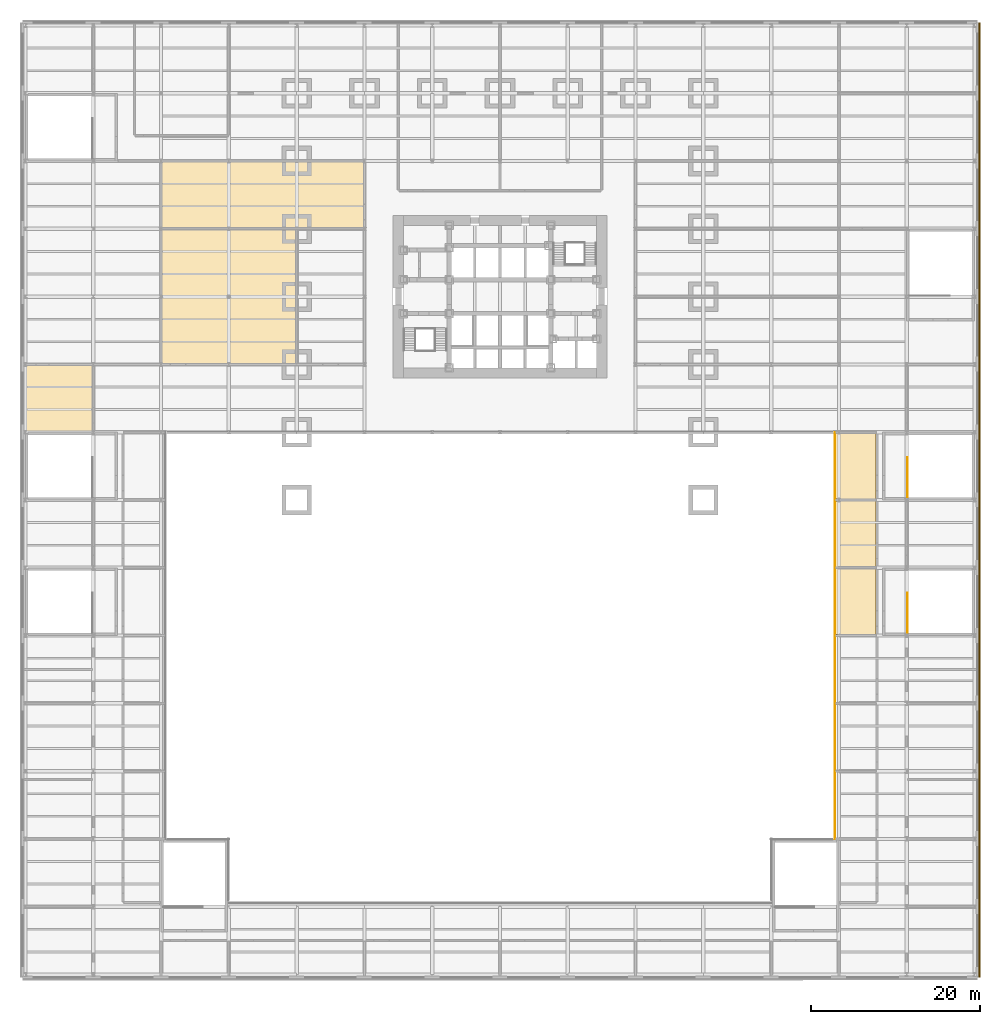
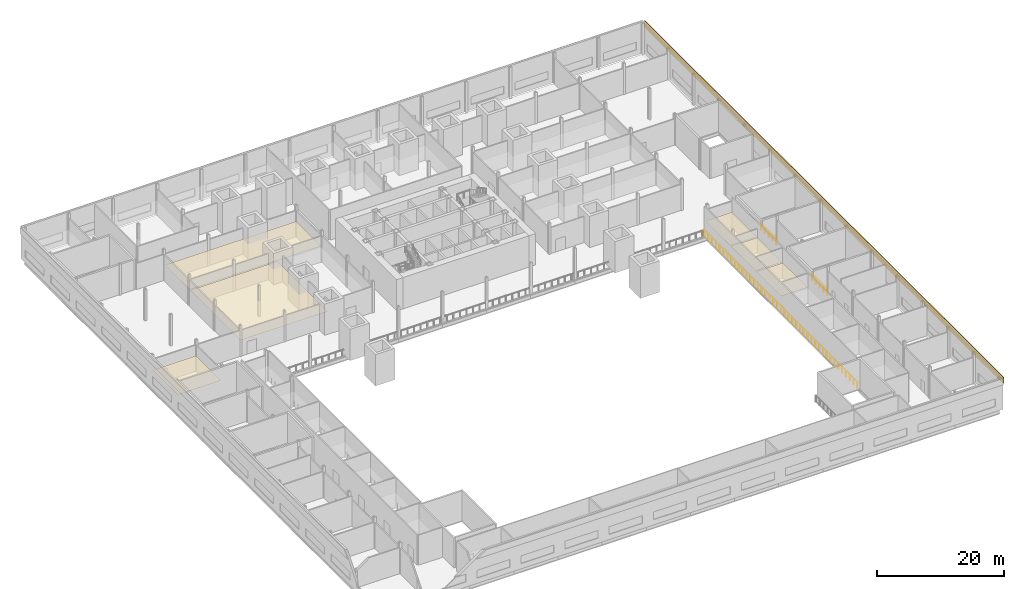
# One storey, part 19 of 21: 7 coverings, 3 railings.
"""IFC4 building model written with IfcOpenShell, lengths in metres."""

import ifcopenshell
import ifcopenshell.guid

model = None  # the IFC model being written
_history = None  # IfcOwnerHistory: only IFC2X3 demands one
_inside = {}  # id of a spatial element -> (the spatial element, [elements in it])
_under = {}  # id of a project, library or spatial element -> (it, [spatial elements below it])
_declared = {}  # id of a project -> (the project, [libraries it declares])
_typed = {}  # id of a type object -> (the type object, [elements of that type])
_made_of = {}  # id of a material, layer set ... -> (it, [elements and type objects made of it])


def new_model(schema):
    """Start an empty IFC model of exactly this schema.

    Asked for "IFC4X3", IfcOpenShell would pick the latest addendum, in which some entities
    have other attributes; the version numbers below select the first issue.
    IFC2X3 requires an IfcOwnerHistory on every rooted entity: one is made here for all.
    """
    global model, _history
    if schema == "IFC4X3":
        model = ifcopenshell.file(schema_version=(4, 3, 0, 0))
    else:
        model = ifcopenshell.file(schema=schema)
    _inside.clear()
    _under.clear()
    _declared.clear()
    _typed.clear()
    _made_of.clear()
    _history = None
    if model.schema == "IFC2X3":
        org = make("IfcOrganization", Name="unknown")
        user = make(
            "IfcPersonAndOrganization",
            ThePerson=make("IfcPerson", FamilyName="unknown"),
            TheOrganization=org,
        )
        app = make(
            "IfcApplication",
            ApplicationDeveloper=org,
            Version="unknown",
            ApplicationFullName="unknown",
            ApplicationIdentifier="unknown",
        )
        _history = make(
            "IfcOwnerHistory",
            OwningUser=user,
            OwningApplication=app,
            ChangeAction="ADDED",
            CreationDate=0,
        )
    return model


def make(cls, **values):
    """One entity of the class cls with the attributes given. An attribute that is None is left unset."""
    return model.create_entity(
        cls, **{name: value for name, value in values.items() if value is not None}
    )


def rooted(cls, **values):
    """An entity with a GlobalId (a new one), such as an element, a storey or a relation."""
    return make(cls, GlobalId=ifcopenshell.guid.new(), OwnerHistory=_history, **values)


def si_unit(unit_type, name, prefix=None):
    """IfcSIUnit, for example si_unit("LENGTHUNIT", "METRE", prefix="MILLI")."""
    return make("IfcSIUnit", UnitType=unit_type, Prefix=prefix, Name=name)


def assignment(units):
    """IfcUnitAssignment: the units of a project."""
    return None if units is None else make("IfcUnitAssignment", Units=units)


def point(xyz):
    """IfcCartesianPoint."""
    return None if xyz is None else make("IfcCartesianPoint", Coordinates=xyz)


def direction(xyz):
    """IfcDirection."""
    return None if xyz is None else make("IfcDirection", DirectionRatios=xyz)


def frame(location, z_axis=None, x_axis=None):
    """IfcAxis2Placement3D, a coordinate frame: its origin and axes. An axis left out is left unset."""
    return make(
        "IfcAxis2Placement3D",
        Location=point(location),
        Axis=direction(z_axis),
        RefDirection=direction(x_axis),
    )


def frame_2d(location, x_axis=None):
    """IfcAxis2Placement2D, a coordinate frame in the plane: its origin and x axis."""
    return make(
        "IfcAxis2Placement2D", Location=point(location), RefDirection=direction(x_axis)
    )


def origin():
    """The frame at (0, 0, 0) with its axes left unset."""
    return frame((0.0, 0.0, 0.0))


def origin_2d():
    """The frame at (0, 0) in the plane with its x axis left unset."""
    return frame_2d((0.0, 0.0))


def place(relative_to, where):
    """IfcLocalPlacement: puts the frame where relative to a parent placement (None: the world)."""
    return make(
        "IfcLocalPlacement", PlacementRelTo=relative_to, RelativePlacement=where
    )


def context(
    kind, dimensions, precision=None, world=None, true_north=None, identifier=None
):
    """IfcGeometricRepresentationContext, for example the 3D "Model" context."""
    return make(
        "IfcGeometricRepresentationContext",
        ContextIdentifier=identifier,
        ContextType=kind,
        CoordinateSpaceDimension=dimensions,
        Precision=precision,
        WorldCoordinateSystem=world,
        TrueNorth=true_north,
    )


def subcontext(parent, identifier, kind, view, scale=None):
    """IfcGeometricRepresentationSubContext, for example "Body" below "Model"."""
    return make(
        "IfcGeometricRepresentationSubContext",
        ContextIdentifier=identifier,
        ContextType=kind,
        ParentContext=parent,
        TargetScale=scale,
        TargetView=view,
    )


def project(units=None, contexts=None):
    """IfcProject with its units and contexts."""
    return rooted(
        "IfcProject",
        Name="project",
        RepresentationContexts=contexts,
        UnitsInContext=assignment(units),
    )


def spatial(cls, under=None, at=None, **own):
    """A site, building, storey or space (cls), placed at a placement, below another one or the project."""
    s = rooted(cls, ObjectPlacement=at, **own)
    if under is not None:
        _under.setdefault(under.id(), (under, []))[1].append(s)
    return s


def polyline(points):
    """IfcPolyline through the points."""
    return make("IfcPolyline", Points=[point(p) for p in points])


def profile(cls, at=None, kind="AREA", **sizes):
    """A parametric profile (cls). Its sizes go by their IFC names, for example OverallWidth=200.0."""
    return make(cls, ProfileType=kind, Position=at, **sizes)


def rectangle(**sizes):
    """IfcRectangleProfileDef."""
    return profile("IfcRectangleProfileDef", **sizes)


def circle(**sizes):
    """IfcCircleProfileDef."""
    return profile("IfcCircleProfileDef", **sizes)


def outline(outer, holes=None, kind="AREA"):
    """IfcArbitraryClosedProfileDef: a profile drawn as a closed curve; with holes, ...WithVoids."""
    if holes is None:
        return make("IfcArbitraryClosedProfileDef", ProfileType=kind, OuterCurve=outer)
    return make(
        "IfcArbitraryProfileDefWithVoids",
        ProfileType=kind,
        OuterCurve=outer,
        InnerCurves=holes,
    )


def extrude(swept, where, along, depth):
    """IfcExtrudedAreaSolid: the profile swept, set in the frame where, extruded along a direction by depth."""
    return make(
        "IfcExtrudedAreaSolid",
        SweptArea=swept,
        Position=where,
        ExtrudedDirection=direction(along),
        Depth=depth,
    )


def shape(context_of_items, identifier, shape_type, items):
    """IfcShapeRepresentation: the items that make up one representation, for example the "Body"."""
    return make(
        "IfcShapeRepresentation",
        ContextOfItems=context_of_items,
        RepresentationIdentifier=identifier,
        RepresentationType=shape_type,
        Items=items,
    )


def material(Name=None, Category=None):
    """IfcMaterial."""
    return make("IfcMaterial", Name=Name, Category=Category)


def layer(
    of_material, thickness, ventilated=None, Name=None, Category=None, Priority=None
):
    """IfcMaterialLayer: one layer of a wall or slab, of a material (None: an air gap)."""
    return make(
        "IfcMaterialLayer",
        Material=of_material,
        LayerThickness=thickness,
        IsVentilated=ventilated,
        Name=Name,
        Category=Category,
        Priority=Priority,
    )


def layer_set(layers, Name=None):
    """IfcMaterialLayerSet."""
    return make("IfcMaterialLayerSet", MaterialLayers=layers, LayerSetName=Name)


def made_of(thing, what):
    """Note that an element or type object is made of a material, layer set ...; save() writes the relation."""
    if what is not None:
        _made_of.setdefault(what.id(), (what, []))[1].append(thing)
    return thing


def type_object(cls, material=None, **own):
    """A type object (cls), such as IfcWallType, which elements share."""
    return made_of(rooted(cls, **own), material)


def element(
    cls,
    number,
    at=None,
    inside=None,
    cuts=None,
    type_object=None,
    material=None,
    context=None,
    identifier="Body",
    shape_type=None,
    held_by="IfcProductDefinitionShape",
    body=None,
    shapes=None,
    **own,
):
    """One element of the class cls, such as IfcWall. Its Tag is "e" and its number.

    at: its placement. inside: the storey or other place that contains it. cuts: it is an
    opening in that element (IfcRelVoidsElement). A single representation is given by context,
    identifier, shape_type and body (its items); several are given by shapes. held_by: the class
    of the entity that holds the representations. save() writes the other relations.
    """
    e = rooted(cls, Tag="e%d" % number, ObjectPlacement=at, **own)
    if body is not None:
        shapes = [shape(context, identifier, shape_type, body)]
    if shapes is not None:
        e.Representation = make(held_by, Representations=shapes)
    if inside is not None:
        _inside.setdefault(inside.id(), (inside, []))[1].append(e)
    if cuts is not None:
        rooted(
            "IfcRelVoidsElement", RelatingBuildingElement=cuts, RelatedOpeningElement=e
        )
    if type_object is not None:
        _typed.setdefault(type_object.id(), (type_object, []))[1].append(e)
    return made_of(e, material)


def aggregate(whole, parts):
    """IfcRelAggregates: a whole, such as a stair, and the parts it consists of."""
    return rooted("IfcRelAggregates", RelatingObject=whole, RelatedObjects=parts)


def save(model, path):
    """Write the relations noted so far, then the file.

    IfcRelAggregates (storeys below a building ...), IfcRelContainedInSpatialStructure (elements
    in a storey), IfcRelDefinesByType, IfcRelAssociatesMaterial and IfcRelDeclares: one each for
    every whole, place, type object, material and project.
    """
    for whole, parts in _under.values():
        aggregate(whole, parts)
    for where, things in _inside.values():
        rooted(
            "IfcRelContainedInSpatialStructure",
            RelatedElements=things,
            RelatingStructure=where,
        )
    for kind, things in _typed.values():
        rooted("IfcRelDefinesByType", RelatedObjects=things, RelatingType=kind)
    for what, things in _made_of.values():
        rooted("IfcRelAssociatesMaterial", RelatedObjects=things, RelatingMaterial=what)
    for by, libraries in _declared.values():
        rooted("IfcRelDeclares", RelatingContext=by, RelatedDefinitions=libraries)
    model.write(path)


model = new_model("IFC4")

# Units and contexts
model_context = context("Model", 3, precision=1e-05, world=origin(), true_north=direction((0.0, 1.0)))
body_context = subcontext(model_context, "Body", "Model", "MODEL_VIEW")
ifc_project = project(units=[si_unit("LENGTHUNIT", "METRE"), si_unit("AREAUNIT", "SQUARE_METRE"), si_unit("VOLUMEUNIT", "CUBIC_METRE"), si_unit("PLANEANGLEUNIT", "RADIAN"), si_unit("MASSUNIT", "GRAM", prefix="KILO")], contexts=[model_context])

# Site, building, storey
site_placement = place(None, origin())
site = spatial("IfcSite", under=ifc_project, at=site_placement, CompositionType="ELEMENT")
building_placement = place(site_placement, origin())
building = spatial("IfcBuilding", under=site, at=building_placement, Name="Daluyong Arena Tower", CompositionType="ELEMENT")
storey_placement = place(building_placement, frame((0.0, 0.0, 19.89990234375)))
storey = spatial("IfcBuildingStorey", under=building, at=storey_placement, Name="L04", CompositionType="ELEMENT", Elevation=19.89990234375)

# Railing
ifc_material_1 = material(Name="Steel guard with glass infill", Category="steel")
railing_type_1 = type_object("IfcRailingType", Name="Floor edge guard 1100", PredefinedType="GUARDRAIL", material=ifc_material_1)
railing_placement = place(storey_placement, frame((95.550048828125, 64.0, 0.0)))
element("IfcRailing", 1, at=railing_placement, inside=storey, type_object=railing_type_1, Name="floor edge guard L04", PredefinedType="GUARDRAIL", context=body_context, shape_type="SweptSolid", body=[
    extrude(circle(Radius=0.02392578125, at=origin_2d()), frame((0.0, 0.0, 1.076171875), z_axis=(0.0, -1.0, 0.0), x_axis=(1.0, 0.0, 0.0)), (0.0, 0.0, 1.0), 48.0),
    extrude(circle(Radius=0.02099609375, at=origin_2d()), origin(), (0.0, 0.0, 1.0), 1.052001953125),
    extrude(circle(Radius=0.02099609375, at=origin_2d()), frame((0.0, -1.199951171875, 0.0)), (0.0, 0.0, 1.0), 1.052001953125),
    extrude(circle(Radius=0.02099609375, at=origin_2d()), frame((0.0, -2.39990234375, 0.0)), (0.0, 0.0, 1.0), 1.052001953125),
    extrude(circle(Radius=0.02099609375, at=origin_2d()), frame((0.0, -3.60009765625, 0.0)), (0.0, 0.0, 1.0), 1.052001953125),
    extrude(circle(Radius=0.02099609375, at=origin_2d()), frame((0.0, -4.800048828125, 0.0)), (0.0, 0.0, 1.0), 1.052001953125),
    extrude(circle(Radius=0.02099609375, at=origin_2d()), frame((0.0, -6.0, 0.0)), (0.0, 0.0, 1.0), 1.052001953125),
    extrude(circle(Radius=0.02099609375, at=origin_2d()), frame((0.0, -7.199951171875, 0.0)), (0.0, 0.0, 1.0), 1.052001953125),
    extrude(circle(Radius=0.02099609375, at=origin_2d()), frame((0.0, -8.39990234375, 0.0)), (0.0, 0.0, 1.0), 1.052001953125),
    extrude(circle(Radius=0.02099609375, at=origin_2d()), frame((0.0, -9.60009765625, 0.0)), (0.0, 0.0, 1.0), 1.052001953125),
    extrude(circle(Radius=0.02099609375, at=origin_2d()), frame((0.0, -10.800048828125, 0.0)), (0.0, 0.0, 1.0), 1.052001953125),
    extrude(circle(Radius=0.02099609375, at=origin_2d()), frame((0.0, -12.0, 0.0)), (0.0, 0.0, 1.0), 1.052001953125),
    extrude(circle(Radius=0.02099609375, at=origin_2d()), frame((0.0, -13.199951171875, 0.0)), (0.0, 0.0, 1.0), 1.052001953125),
    extrude(circle(Radius=0.02099609375, at=origin_2d()), frame((0.0, -14.39990234375, 0.0)), (0.0, 0.0, 1.0), 1.052001953125),
    extrude(circle(Radius=0.02099609375, at=origin_2d()), frame((0.0, -15.60009765625, 0.0)), (0.0, 0.0, 1.0), 1.052001953125),
    extrude(circle(Radius=0.02099609375, at=origin_2d()), frame((0.0, -16.800048828125, 0.0)), (0.0, 0.0, 1.0), 1.052001953125),
    extrude(circle(Radius=0.02099609375, at=origin_2d()), frame((0.0, -18.0, 0.0)), (0.0, 0.0, 1.0), 1.052001953125),
    extrude(circle(Radius=0.02099609375, at=origin_2d()), frame((0.0, -19.199951171875, 0.0)), (0.0, 0.0, 1.0), 1.052001953125),
    extrude(circle(Radius=0.02099609375, at=origin_2d()), frame((0.0, -20.39990234375, 0.0)), (0.0, 0.0, 1.0), 1.052001953125),
    extrude(circle(Radius=0.02099609375, at=origin_2d()), frame((0.0, -21.60009765625, 0.0)), (0.0, 0.0, 1.0), 1.052001953125),
    extrude(circle(Radius=0.02099609375, at=origin_2d()), frame((0.0, -22.800048828125, 0.0)), (0.0, 0.0, 1.0), 1.052001953125),
    extrude(circle(Radius=0.02099609375, at=origin_2d()), frame((0.0, -24.0, 0.0)), (0.0, 0.0, 1.0), 1.052001953125),
    extrude(circle(Radius=0.02099609375, at=origin_2d()), frame((0.0, -25.199951171875, 0.0)), (0.0, 0.0, 1.0), 1.052001953125),
    extrude(circle(Radius=0.02099609375, at=origin_2d()), frame((0.0, -26.39990234375, 0.0)), (0.0, 0.0, 1.0), 1.052001953125),
    extrude(circle(Radius=0.02099609375, at=origin_2d()), frame((0.0, -27.60009765625, 0.0)), (0.0, 0.0, 1.0), 1.052001953125),
    extrude(circle(Radius=0.02099609375, at=origin_2d()), frame((0.0, -28.800048828125, 0.0)), (0.0, 0.0, 1.0), 1.052001953125),
    extrude(circle(Radius=0.02099609375, at=origin_2d()), frame((0.0, -30.0, 0.0)), (0.0, 0.0, 1.0), 1.052001953125),
    extrude(circle(Radius=0.02099609375, at=origin_2d()), frame((0.0, -31.199951171875, 0.0)), (0.0, 0.0, 1.0), 1.052001953125),
    extrude(circle(Radius=0.02099609375, at=origin_2d()), frame((0.0, -32.39990234375, 0.0)), (0.0, 0.0, 1.0), 1.052001953125),
    extrude(circle(Radius=0.02099609375, at=origin_2d()), frame((0.0, -33.60009765625, 0.0)), (0.0, 0.0, 1.0), 1.052001953125),
    extrude(circle(Radius=0.02099609375, at=origin_2d()), frame((0.0, -34.800048828125, 0.0)), (0.0, 0.0, 1.0), 1.052001953125),
    extrude(circle(Radius=0.02099609375, at=origin_2d()), frame((0.0, -36.0, 0.0)), (0.0, 0.0, 1.0), 1.052001953125),
    extrude(circle(Radius=0.02099609375, at=origin_2d()), frame((0.0, -37.199951171875, 0.0)), (0.0, 0.0, 1.0), 1.052001953125),
    extrude(circle(Radius=0.02099609375, at=origin_2d()), frame((0.0, -38.39990234375, 0.0)), (0.0, 0.0, 1.0), 1.052001953125),
    extrude(circle(Radius=0.02099609375, at=origin_2d()), frame((0.0, -39.60009765625, 0.0)), (0.0, 0.0, 1.0), 1.052001953125),
    extrude(circle(Radius=0.02099609375, at=origin_2d()), frame((0.0, -40.800048828125, 0.0)), (0.0, 0.0, 1.0), 1.052001953125),
    extrude(circle(Radius=0.02099609375, at=origin_2d()), frame((0.0, -42.0, 0.0)), (0.0, 0.0, 1.0), 1.052001953125),
    extrude(circle(Radius=0.02099609375, at=origin_2d()), frame((0.0, -43.199951171875, 0.0)), (0.0, 0.0, 1.0), 1.052001953125),
    extrude(circle(Radius=0.02099609375, at=origin_2d()), frame((0.0, -44.39990234375, 0.0)), (0.0, 0.0, 1.0), 1.052001953125),
    extrude(circle(Radius=0.02099609375, at=origin_2d()), frame((0.0, -45.60009765625, 0.0)), (0.0, 0.0, 1.0), 1.052001953125),
    extrude(circle(Radius=0.02099609375, at=origin_2d()), frame((0.0, -46.800048828125, 0.0)), (0.0, 0.0, 1.0), 1.052001953125),
    extrude(circle(Radius=0.02099609375, at=origin_2d()), frame((0.0, -48.0, 0.0)), (0.0, 0.0, 1.0), 1.052001953125),
])

# Coverings
ifc_material_2 = material(Name="Mineral fibre ceiling tile", Category="gypsum board")
ifc_layer_1 = layer(ifc_material_2, 0.02001953125)
ifc_layer_set_1 = layer_set([ifc_layer_1], Name="Mineral fibre ceiling tile")
covering_type_1 = type_object("IfcCoveringType", Name="Office ceiling", PredefinedType="CEILING", material=ifc_layer_set_1)
covering_1_placement = place(storey_placement, frame((0.0, 0.0, 2.900146484375)))
element("IfcCovering", 2, at=covering_1_placement, inside=storey, type_object=covering_type_1, Name="ceiling L04-21", PredefinedType="CEILING", context=body_context, shape_type="SweptSolid", body=[
    extrude(outline(polyline([(7.89990234375, 64.10009765625), (7.89990234375, 71.89990234375), (0.10009765625, 71.89990234375), (0.10009765625, 64.10009765625), (7.89990234375, 64.10009765625)])), origin(), (0.0, 0.0, 1.0), 0.02001953125),
])
covering_2_placement = place(storey_placement, frame((0.0, 0.0, 2.900146484375)))
element("IfcCovering", 3, at=covering_2_placement, inside=storey, type_object=covering_type_1, Name="ceiling L04-40", PredefinedType="CEILING", context=body_context, shape_type="SweptSolid", body=[
    extrude(outline(polyline([(100.39990234375, 40.10009765625), (100.39990234375, 47.89990234375), (95.60009765625, 47.89990234375), (95.60009765625, 40.10009765625), (100.39990234375, 40.10009765625)])), origin(), (0.0, 0.0, 1.0), 0.02001953125),
])
covering_3_placement = place(storey_placement, frame((0.0, 0.0, 2.900146484375)))
element("IfcCovering", 4, at=covering_3_placement, inside=storey, type_object=covering_type_1, Name="ceiling L04-41", PredefinedType="CEILING", context=body_context, shape_type="SweptSolid", body=[
    extrude(outline(polyline([(100.39990234375, 48.10009765625), (100.39990234375, 55.89990234375), (95.60009765625, 55.89990234375), (95.60009765625, 48.10009765625), (100.39990234375, 48.10009765625)])), origin(), (0.0, 0.0, 1.0), 0.02001953125),
])
covering_4_placement = place(storey_placement, frame((0.0, 0.0, 2.900146484375)))
element("IfcCovering", 5, at=covering_4_placement, inside=storey, type_object=covering_type_1, Name="ceiling L04-42", PredefinedType="CEILING", context=body_context, shape_type="SweptSolid", body=[
    extrude(outline(polyline([(100.39990234375, 56.10009765625), (100.39990234375, 63.89990234375), (95.60009765625, 63.89990234375), (95.60009765625, 56.10009765625), (100.39990234375, 56.10009765625)])), origin(), (0.0, 0.0, 1.0), 0.02001953125),
])
covering_5_placement = place(storey_placement, frame((0.0, 0.0, 2.900146484375)))
element("IfcCovering", 6, at=covering_5_placement, inside=storey, type_object=covering_type_1, Name="ceiling L04-47", PredefinedType="CEILING", context=body_context, shape_type="SweptSolid", body=[
    extrude(outline(polyline([(31.89990234375, 72.10009765625), (31.89990234375, 87.89990234375), (16.10009765625, 87.89990234375), (16.10009765625, 72.10009765625), (31.89990234375, 72.10009765625)])), origin(), (0.0, 0.0, 1.0), 0.02001953125),
])
covering_6_placement = place(storey_placement, frame((0.0, 0.0, 2.900146484375)))
element("IfcCovering", 7, at=covering_6_placement, inside=storey, type_object=covering_type_1, Name="ceiling L04-49", PredefinedType="CEILING", context=body_context, shape_type="SweptSolid", body=[
    extrude(outline(polyline([(39.89990234375, 88.10009765625), (39.89990234375, 95.89990234375), (16.10009765625, 95.89990234375), (16.10009765625, 88.10009765625), (39.89990234375, 88.10009765625)])), origin(), (0.0, 0.0, 1.0), 0.02001953125),
])
ifc_material_3 = material(Name="Red-pigmented glass fibre reinforced concrete", Category="concrete")
ifc_layer_2 = layer(ifc_material_3, 0.14990234375)
ifc_layer_set_2 = layer_set([ifc_layer_2], Name="Red-pigmented glass fibre reinforced concrete")
covering_type_2 = type_object("IfcCoveringType", Name="Podium band cladding", PredefinedType="CLADDING", material=ifc_layer_set_2)
covering_7_placement = place(storey_placement, frame((112.574951171875, 56.0, 4.80029296875), z_axis=(0.0, 0.0, 1.0), x_axis=(0.0, 1.0, 0.0)))
element("IfcCovering", 8, at=covering_7_placement, inside=storey, type_object=covering_type_2, Name="podium band E L04", PredefinedType="CLADDING", context=body_context, shape_type="SweptSolid", body=[
    extrude(rectangle(XDim=112.699951171875, YDim=0.14990234375, at=origin_2d()), origin(), (0.0, 0.0, 1.0), 1.199951171875),
])

# Railings
ifc_material_4 = material(Name="Steel balustrade", Category="steel")
railing_type_2 = type_object("IfcRailingType", Name="Stair well guard 1200", PredefinedType="GUARDRAIL", material=ifc_material_4)
for number, where, name in (
    (9, (104.110107421875, 40.300048828125, 0.0), "stair well guard L04"),
    (10, (104.110107421875, 56.300048828125, 0.0), "stair well guard L04"),
):
    element("IfcRailing", number, at=place(storey_placement, frame(where)), inside=storey, type_object=railing_type_2, Name=name, PredefinedType="GUARDRAIL", context=body_context, shape_type="SweptSolid", body=[
        extrude(circle(Radius=0.02392578125, at=origin_2d()), frame((0.0, 0.0, 1.17578125), z_axis=(0.0, 1.0, 0.0), x_axis=(-1.0, 0.0, 0.0)), (0.0, 0.0, 1.0), 4.75),
        extrude(circle(Radius=0.02099609375, at=origin_2d()), origin(), (0.0, 0.0, 1.0), 1.15185546875),
        extrude(circle(Radius=0.02099609375, at=origin_2d()), frame((0.0, 1.1875, 0.0)), (0.0, 0.0, 1.0), 1.15185546875),
        extrude(circle(Radius=0.02099609375, at=origin_2d()), frame((0.0, 2.375, 0.0)), (0.0, 0.0, 1.0), 1.15185546875),
        extrude(circle(Radius=0.02099609375, at=origin_2d()), frame((0.0, 3.5625, 0.0)), (0.0, 0.0, 1.0), 1.15185546875),
        extrude(circle(Radius=0.02099609375, at=origin_2d()), frame((0.0, 4.75, 0.0)), (0.0, 0.0, 1.0), 1.15185546875),
    ])

save(model, "model.ifc")
